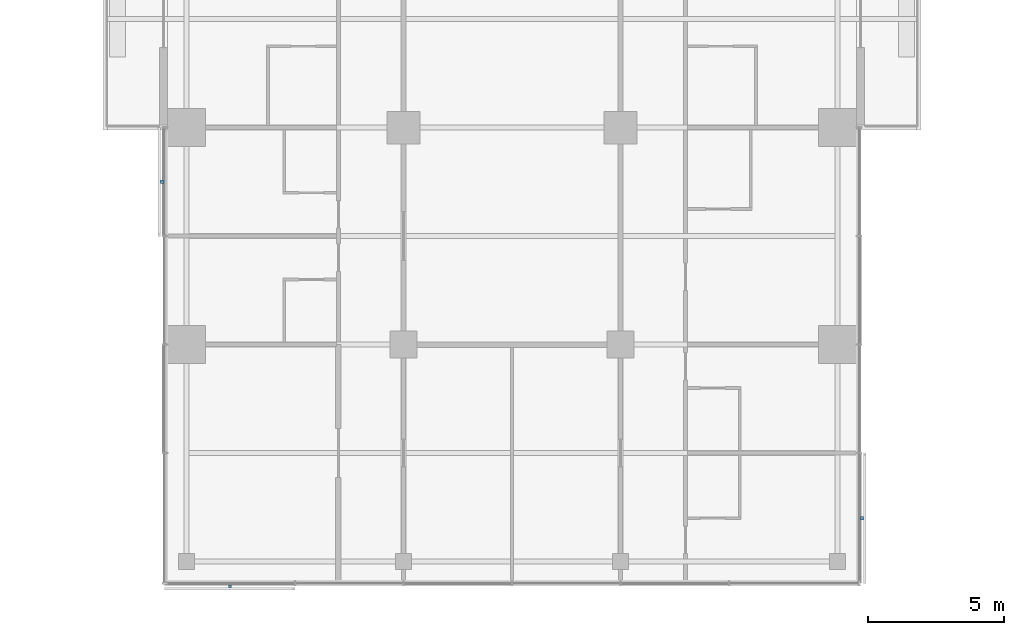
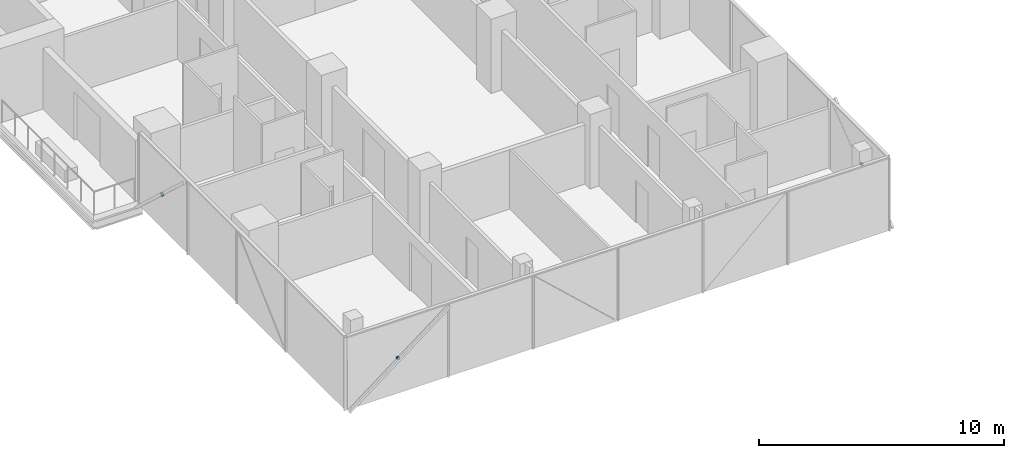
# One storey, part 23 of 27: 3 discrete accessories.
"""IFC4 building model written with IfcOpenShell, lengths in metres."""

from ifc_helpers import new_model, si_unit, direction, frame, origin, origin_2d, place, context, subcontext, project, spatial, rectangle, extrude, material, type_object, element, save


model = new_model("IFC4")

# Units and contexts
model_context = context("Model", 3, precision=1e-05, world=origin(), true_north=direction((0.0, 1.0)))
body_context = subcontext(model_context, "Body", "Model", "MODEL_VIEW")
ifc_project = project(units=[si_unit("LENGTHUNIT", "METRE"), si_unit("AREAUNIT", "SQUARE_METRE"), si_unit("VOLUMEUNIT", "CUBIC_METRE"), si_unit("PLANEANGLEUNIT", "RADIAN"), si_unit("MASSUNIT", "GRAM", prefix="KILO")], contexts=[model_context])

# Site, building, storey
site_placement = place(None, origin())
site = spatial("IfcSite", under=ifc_project, at=site_placement, CompositionType="ELEMENT")
building_placement = place(site_placement, origin())
building = spatial("IfcBuilding", under=site, at=building_placement, Name="Crosswind Convention Tower", CompositionType="ELEMENT")
storey_placement = place(building_placement, frame((0.0, 0.0, 72.0)))
storey = spatial("IfcBuildingStorey", under=building, at=storey_placement, Name="L12", CompositionType="ELEMENT", Elevation=72.0)

# Discrete accessories
ifc_material = material(Name="Stainless steel", Category="steel")
discrete_accessory_type = type_object("IfcDiscreteAccessoryType", Name="BAGUETTE BRACKET BK2", PredefinedType="BRACKET", material=ifc_material)
for number, where, z_axis, x_axis, name in (
    (1, (112.092041015625, 78.0, 1.4775390625), (0.0, 0.0, 1.0), (0.0, -1.0, 0.0), "BK2 baguette bracket"),
    (2, (114.60009765625, 63.092041015625, 1.4775390625), (0.0, 0.0, 1.0), (1.0, 0.0, 0.0), "BK2 baguette bracket"),
    (3, (137.907958984375, 65.60009765625, 1.4775390625), (0.0, 0.0, 1.0), (0.0, 1.0, 0.0), "BK2 baguette bracket"),
):
    element("IfcDiscreteAccessory", number, at=place(storey_placement, frame(where, z_axis=z_axis, x_axis=x_axis)), inside=storey, type_object=discrete_accessory_type, Name=name, PredefinedType="BRACKET", context=body_context, shape_type="SweptSolid", body=[
        extrude(rectangle(XDim=0.1201171875, YDim=0.10009765625, at=origin_2d()), origin(), (0.0, 0.0, 1.0), 0.1201171875),
    ])

save(model, "model.ifc")
